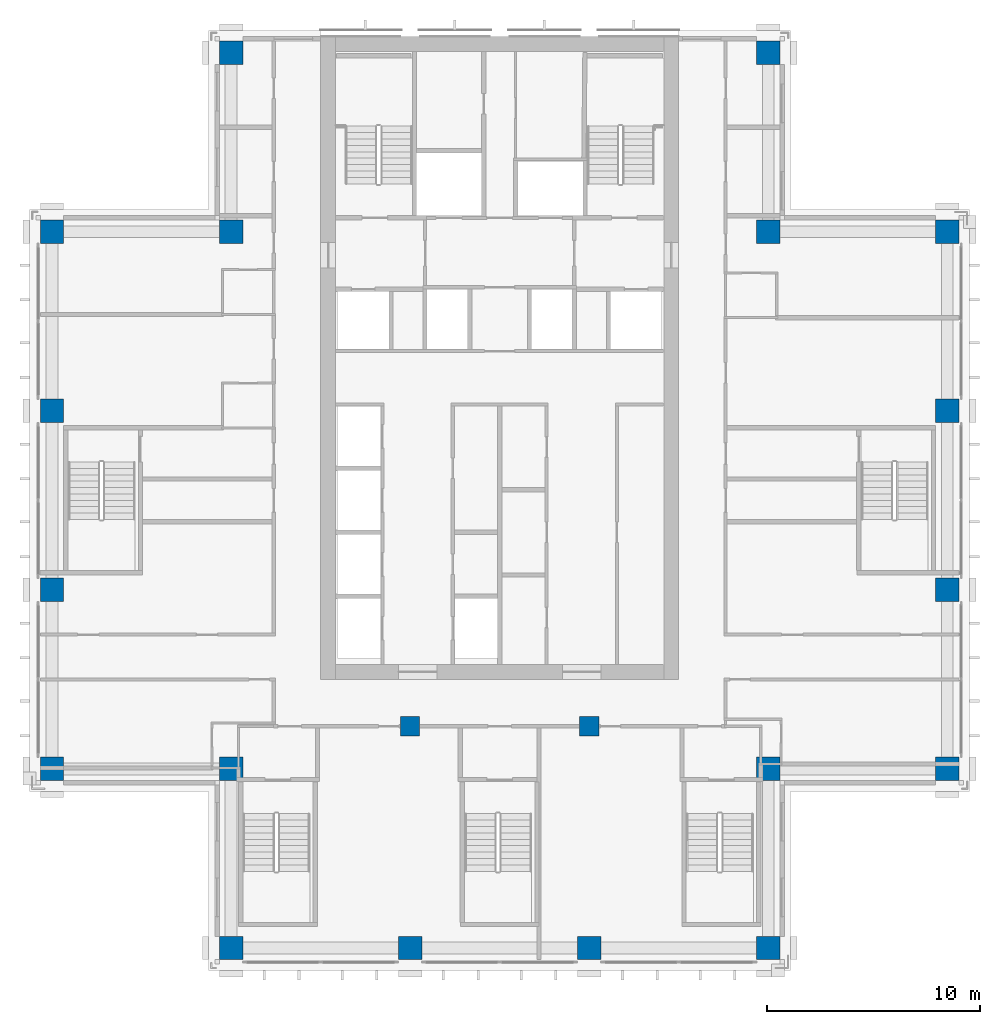
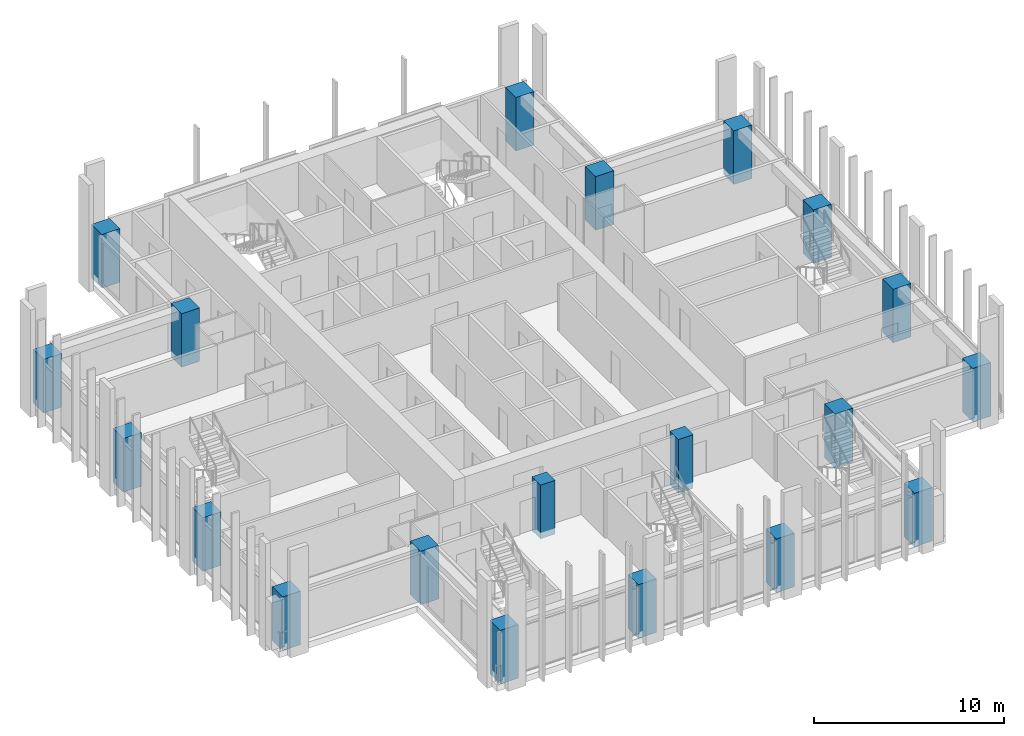
# One storey, part 1 of 17: 20 columns.
"""IFC4 building model written with IfcOpenShell, lengths in metres."""

from ifc_helpers import new_model, si_unit, direction, frame, origin, origin_2d, place, context, subcontext, project, spatial, rectangle, extrude, material, material_profile, profile_set, type_object, element, save


model = new_model("IFC4")

# Units and contexts
model_context = context("Model", 3, precision=1e-05, world=origin(), true_north=direction((0.0, 1.0)))
body_context = subcontext(model_context, "Body", "Model", "MODEL_VIEW")
ifc_project = project(units=[si_unit("LENGTHUNIT", "METRE"), si_unit("AREAUNIT", "SQUARE_METRE"), si_unit("VOLUMEUNIT", "CUBIC_METRE"), si_unit("PLANEANGLEUNIT", "RADIAN"), si_unit("MASSUNIT", "GRAM", prefix="KILO")], contexts=[model_context])

# Site, building, storey
site_placement = place(None, origin())
site = spatial("IfcSite", under=ifc_project, at=site_placement, CompositionType="ELEMENT")
building_placement = place(site_placement, origin())
building = spatial("IfcBuilding", under=site, at=building_placement, Name="Vermilion Ogive Tower", CompositionType="ELEMENT")
storey_placement = place(building_placement, frame((0.0, 0.0, 157.25)))
storey = spatial("IfcBuildingStorey", under=building, at=storey_placement, Name="L40", CompositionType="ELEMENT", Elevation=157.25)

# Columns
ifc_material_1 = material(Name="Concrete B60", Category="concrete")
ifc_material_profile_1 = material_profile(ifc_material_1, rectangle(XDim=1.10009765625, YDim=1.10009765625, at=origin_2d()), Name="1100 x 1100")
ifc_profile_set_1 = profile_set([ifc_material_profile_1], Name="Concrete B60")
column_type_1 = type_object("IfcColumnType", Name="Perimeter column 1100 x 1100 B60", PredefinedType="COLUMN", material=ifc_profile_set_1)
for number, where, z_axis, x_axis, name in (
    (1, (-12.60009765625, -21.0, -0.39990234375), (0.0, 0.0, 1.0), (1.0, 0.0, 0.0), "COL-L40-P-0126-210"),
    (2, (-4.199951171875, -21.0, -0.39990234375), (0.0, 0.0, 1.0), (1.0, 0.0, 0.0), "COL-L40-P-0042-210"),
    (3, (4.199951171875, -21.0, -0.39990234375), (0.0, 0.0, 1.0), (1.0, 0.0, 0.0), "COL-L40-P+0042-210"),
    (4, (12.60009765625, -21.0, -0.39990234375), (0.0, 0.0, 1.0), (1.0, 0.0, 0.0), "COL-L40-P+0126-210"),
    (5, (-21.0, -12.60009765625, -0.39990234375), (0.0, 0.0, 1.0), (1.0, 0.0, 0.0), "COL-L40-P-0210-126"),
    (6, (-12.60009765625, -12.60009765625, -0.39990234375), (0.0, 0.0, 1.0), (1.0, 0.0, 0.0), "COL-L40-P-0126-126"),
    (7, (12.60009765625, -12.60009765625, -0.39990234375), (0.0, 0.0, 1.0), (1.0, 0.0, 0.0), "COL-L40-P+0126-126"),
    (8, (21.0, -12.60009765625, -0.39990234375), (0.0, 0.0, 1.0), (1.0, 0.0, 0.0), "COL-L40-P+0210-126"),
    (9, (-21.0, -4.199951171875, -0.39990234375), (0.0, 0.0, 1.0), (1.0, 0.0, 0.0), "COL-L40-P-0210-042"),
    (10, (21.0, -4.199951171875, -0.39990234375), (0.0, 0.0, 1.0), (1.0, 0.0, 0.0), "COL-L40-P+0210-042"),
    (11, (-21.0, 4.199951171875, -0.39990234375), (0.0, 0.0, 1.0), (1.0, 0.0, 0.0), "COL-L40-P-0210+042"),
    (12, (21.0, 4.199951171875, -0.39990234375), (0.0, 0.0, 1.0), (1.0, 0.0, 0.0), "COL-L40-P+0210+042"),
    (13, (-21.0, 12.60009765625, -0.39990234375), (0.0, 0.0, 1.0), (1.0, 0.0, 0.0), "COL-L40-P-0210+126"),
    (14, (-12.60009765625, 12.60009765625, -0.39990234375), (0.0, 0.0, 1.0), (1.0, 0.0, 0.0), "COL-L40-P-0126+126"),
    (15, (12.60009765625, 12.60009765625, -0.39990234375), (0.0, 0.0, 1.0), (1.0, 0.0, 0.0), "COL-L40-P+0126+126"),
    (16, (21.0, 12.60009765625, -0.39990234375), (0.0, 0.0, 1.0), (1.0, 0.0, 0.0), "COL-L40-P+0210+126"),
    (17, (-12.60009765625, 21.0, -0.39990234375), (0.0, 0.0, 1.0), (1.0, 0.0, 0.0), "COL-L40-P-0126+210"),
    (18, (12.60009765625, 21.0, -0.39990234375), (0.0, 0.0, 1.0), (1.0, 0.0, 0.0), "COL-L40-P+0126+210"),
):
    element("IfcColumn", number, at=place(storey_placement, frame(where, z_axis=z_axis, x_axis=x_axis)), inside=storey, type_object=column_type_1, Name=name, PredefinedType="COLUMN", context=body_context, shape_type="SweptSolid", body=[
        extrude(rectangle(XDim=1.10009765625, YDim=1.10009765625, at=origin_2d()), origin(), (0.0, 0.0, 1.0), 3.449951171875),
    ])
ifc_material_2 = material(Name="Concrete B60", Category="concrete")
ifc_material_profile_2 = material_profile(ifc_material_2, rectangle(XDim=0.89990234375, YDim=0.89990234375, at=origin_2d()), Name="900 x 900")
ifc_profile_set_2 = profile_set([ifc_material_profile_2], Name="Concrete B60")
column_type_2 = type_object("IfcColumnType", Name="Ring column 900 x 900 B60", PredefinedType="COLUMN", material=ifc_profile_set_2)
for number, where, z_axis, x_axis, name in (
    (19, (-4.199951171875, -10.60009765625, -0.39990234375), (0.0, 0.0, 1.0), (1.0, 0.0, 0.0), "COL-L40-R-0042-106"),
    (20, (4.199951171875, -10.60009765625, -0.39990234375), (0.0, 0.0, 1.0), (1.0, 0.0, 0.0), "COL-L40-R+0042-106"),
):
    element("IfcColumn", number, at=place(storey_placement, frame(where, z_axis=z_axis, x_axis=x_axis)), inside=storey, type_object=column_type_2, Name=name, PredefinedType="COLUMN", context=body_context, shape_type="SweptSolid", body=[
        extrude(rectangle(XDim=0.89990234375, YDim=0.89990234375, at=origin_2d()), origin(), (0.0, 0.0, 1.0), 3.449951171875),
    ])

save(model, "model.ifc")
